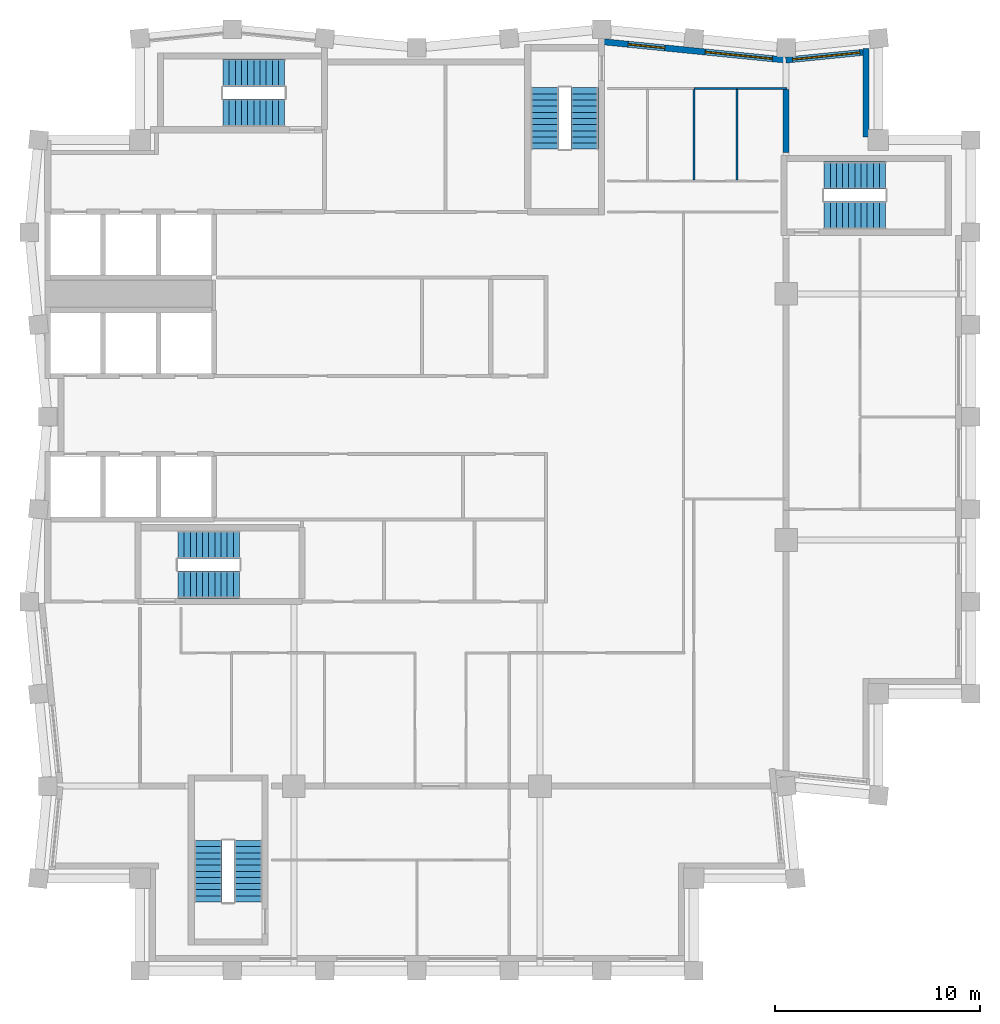
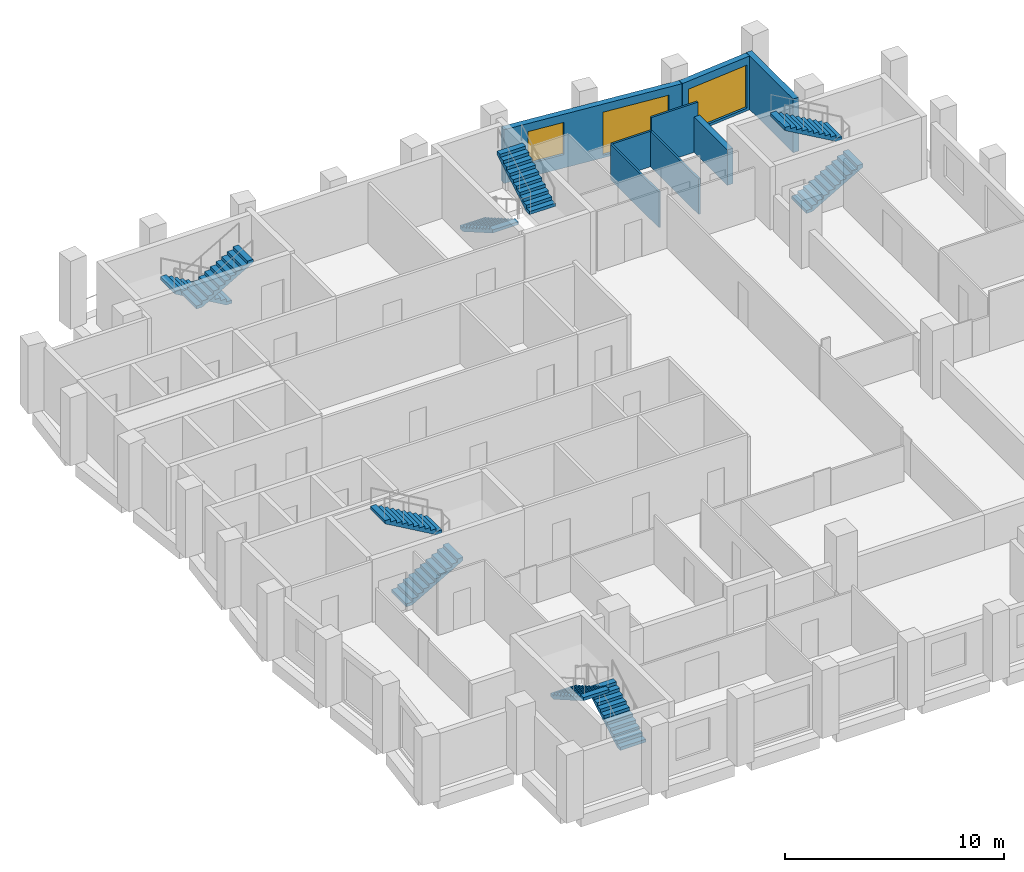
# One storey, part 6 of 7: 10 stair flights, 8 walls, 3 windows, 3 openings, 5 elements without a shape of their own.
"""IFC4 building model written with IfcOpenShell, lengths in metres."""

from ifc_helpers import new_model, si_unit, direction, frame, frame_2d, origin, place, context, subcontext, project, spatial, polyline, rectangle, outline, extrude, material, layer, layer_set, type_object, element, fill, aggregate, save


model = new_model("IFC4")

# Units and contexts
model_context = context("Model", 3, precision=1e-05, world=origin(), true_north=direction((0.0, 1.0)))
body_context = subcontext(model_context, "Body", "Model", "MODEL_VIEW")
ifc_project = project(units=[si_unit("LENGTHUNIT", "METRE"), si_unit("AREAUNIT", "SQUARE_METRE"), si_unit("VOLUMEUNIT", "CUBIC_METRE"), si_unit("PLANEANGLEUNIT", "RADIAN"), si_unit("MASSUNIT", "GRAM", prefix="KILO")], contexts=[model_context])

# Site, building, storey
site_placement = place(None, origin())
site = spatial("IfcSite", under=ifc_project, at=site_placement, CompositionType="ELEMENT")
building_placement = place(site_placement, origin())
building = spatial("IfcBuilding", under=site, at=building_placement, Name="Brondeck Convention Tower", CompositionType="ELEMENT")
storey_placement = place(building_placement, frame((0.0, 0.0, 275.199951171875)))
storey = spatial("IfcBuildingStorey", under=building, at=storey_placement, Name="L68", CompositionType="ELEMENT", Elevation=275.199951171875)

# Walls
ifc_material_1 = material(Name="Concrete compartment wall C30/37", Category="concrete")
ifc_layer_1 = layer(ifc_material_1, 0.300048828125)
ifc_layer_set_1 = layer_set([ifc_layer_1], Name="Compartment wall 300")
wall_type_1 = type_object("IfcWallType", Name="Compartment wall 300", PredefinedType="PARTITIONING", material=ifc_layer_set_1)
wall_1_placement = place(storey_placement, frame((36.0, 60.949951171875, 0.0), z_axis=(0.0, 0.0, 1.0), x_axis=(0.0, -1.0, 0.0)))
element("IfcWall", 1, at=wall_1_placement, inside=storey, type_object=wall_type_1, Name="FLR-L68-W058", PredefinedType="PARTITIONING", context=body_context, shape_type="SweptSolid", body=[
    extrude(rectangle(XDim=3.050048828125, YDim=0.300048828125, at=frame_2d((1.52490234375, 0.0))), origin(), (0.0, 0.0, 1.0), 1.97998046875),
])
ifc_material_2 = material(Name="Precast concrete C50/60 bronze finish", Category="concrete")
ifc_layer_2 = layer(ifc_material_2, 0.070068359375, Name="Bronze precast facing")
ifc_material_3 = material(Name="Mineral wool")
ifc_layer_3 = layer(ifc_material_3, 0.159912109375, Name="Insulation")
ifc_material_4 = material(Name="Concrete C35/45", Category="concrete")
ifc_layer_4 = layer(ifc_material_4, 0.070068359375, Name="Backing")
ifc_layer_set_2 = layer_set([ifc_layer_2, ifc_layer_3, ifc_layer_4], Name="External infill wall, precast concrete C50/60 bronze facing")
wall_type_2 = type_object("IfcWallType", Name="External infill wall, precast concrete C50/60 bronze facing", PredefinedType="SOLIDWALL", material=ifc_layer_set_2)
wall_2_placement = place(storey_placement, frame((39.89990234375, 62.952880859375, 0.0), z_axis=(0.0, 0.0, 1.0), x_axis=(0.0, -1.0, 0.0)))
element("IfcWall", 2, at=wall_2_placement, inside=storey, type_object=wall_type_2, Name="ENV-EW-L68-P3-NC-NEA45-02", PredefinedType="SOLIDWALL", context=body_context, shape_type="SweptSolid", body=[
    extrude(rectangle(XDim=4.302978515625, YDim=0.300048828125, at=frame_2d((2.1513671875, 0.0))), origin(), (0.0, 0.0, 1.0), 3.0),
])

# Wall, opening, window
wall_3_placement = place(storey_placement, frame((35.985107421875, 62.3955078125, 0.0), z_axis=(0.0, 0.0, 1.0), x_axis=(0.99503719021, 0.099503719021, 0.0)))
wall_3 = element("IfcWall", 3, at=wall_3_placement, inside=storey, type_object=wall_type_2, Name="ENV-EW-L68-P3-A-N-08", PredefinedType="SOLIDWALL", context=body_context, shape_type="SweptSolid", body=[
    extrude(rectangle(XDim=3.778564453125, YDim=0.300048828125, at=frame_2d((1.88916015625, 0.0))), origin(), (0.0, 0.0, 1.0), 3.0),
])
opening_1_placement = place(wall_3_placement, frame((0.32861328125, 0.0, 0.14990234375)))
opening_1 = element("IfcOpeningElement", 4, at=opening_1_placement, cuts=wall_3, Name="Opening W9", PredefinedType="OPENING", context=body_context, shape_type="SweptSolid", body=[
    extrude(rectangle(XDim=3.300048828125, YDim=2.39990234375, at=frame_2d((1.64990234375, 1.199951171875))), frame((0.0, 0.159912109375, 0.0), z_axis=(0.0, -1.0, 0.0), x_axis=(1.0, 0.0, 0.0)), (0.0, 0.0, 1.0), 0.320068359375),
])
ifc_material_5 = material(Name="Bronze tinted double glazing", Category="glass")
window_type_1 = type_object("IfcWindowType", Name="Glazed flute window, bronze tinted", PartitioningType="SINGLE_PANEL", PredefinedType="WINDOW", material=ifc_material_5)
window_1_placement = place(opening_1_placement, origin())
window_1 = element("IfcWindow", 5, at=window_1_placement, inside=storey, type_object=window_type_1, Name="ENV-WN-L68-P3-A-N-08", OverallHeight=2.39990234375, OverallWidth=3.300048828125, PartitioningType="SINGLE_PANEL", PredefinedType="WINDOW", context=body_context, shape_type="SweptSolid", body=[
    extrude(rectangle(XDim=3.300048828125, YDim=2.39990234375, at=frame_2d((1.64990234375, 1.199951171875))), frame((0.0, 0.030029296875, 0.0), z_axis=(0.0, -1.0, 0.0), x_axis=(1.0, 0.0, 0.0)), (0.0, 0.0, 1.0), 0.06005859375),
])
fill(opening_1, window_1)

# Wall, openings, windows
wall_4_placement = place(storey_placement, frame((27.089599609375, 63.2880859375, 0.0), z_axis=(0.0, 0.0, 1.0), x_axis=(0.995035835913, -0.09951726106, 0.0)))
wall_4 = element("IfcWall", 6, at=wall_4_placement, inside=storey, type_object=wall_type_2, Name="ENV-EW-L68-P3-A-N-07", PredefinedType="SOLIDWALL", context=body_context, shape_type="SweptSolid", body=[
    extrude(rectangle(XDim=8.9248046875, YDim=0.300048828125, at=frame_2d((4.46240234375, 0.0))), origin(), (0.0, 0.0, 1.0), 3.0),
])
opening_2_placement = place(wall_4_placement, frame((1.211181640625, 0.0, 0.75)))
opening_2 = element("IfcOpeningElement", 7, at=opening_2_placement, cuts=wall_4, Name="Opening W10", PredefinedType="OPENING", context=body_context, shape_type="SweptSolid", body=[
    extrude(rectangle(XDim=1.800048828125, YDim=1.800048828125, at=frame_2d((0.89990234375, 0.89990234375))), frame((0.0, 0.159912109375, 0.0), z_axis=(0.0, -1.0, 0.0), x_axis=(1.0, 0.0, 0.0)), (0.0, 0.0, 1.0), 0.320068359375),
])
opening_3_placement = place(wall_4_placement, frame((4.983642578125, 0.0, 0.14990234375)))
opening_3 = element("IfcOpeningElement", 8, at=opening_3_placement, cuts=wall_4, Name="Opening W9", PredefinedType="OPENING", context=body_context, shape_type="SweptSolid", body=[
    extrude(rectangle(XDim=3.300048828125, YDim=2.39990234375, at=frame_2d((1.64990234375, 1.199951171875))), frame((0.0, 0.159912109375, 0.0), z_axis=(0.0, -1.0, 0.0), x_axis=(1.0, 0.0, 0.0)), (0.0, 0.0, 1.0), 0.320068359375),
])
window_2_placement = place(opening_3_placement, origin())
window_2 = element("IfcWindow", 9, at=window_2_placement, inside=storey, type_object=window_type_1, Name="ENV-WN-L68-P3-A-N-07", OverallHeight=2.39990234375, OverallWidth=3.300048828125, PartitioningType="SINGLE_PANEL", PredefinedType="WINDOW", context=body_context, shape_type="SweptSolid", body=[
    extrude(rectangle(XDim=3.300048828125, YDim=2.39990234375, at=frame_2d((1.64990234375, 1.199951171875))), frame((0.0, 0.030029296875, 0.0), z_axis=(0.0, -1.0, 0.0), x_axis=(1.0, 0.0, 0.0)), (0.0, 0.0, 1.0), 0.06005859375),
])
fill(opening_3, window_2)
window_type_2 = type_object("IfcWindowType", Name="Punched window, bronze tinted", PartitioningType="SINGLE_PANEL", PredefinedType="WINDOW", material=ifc_material_5)
window_3_placement = place(opening_2_placement, origin())
window_3 = element("IfcWindow", 10, at=window_3_placement, inside=storey, type_object=window_type_2, Name="ENV-WN-L68-P3-A-N-06", OverallHeight=1.800048828125, OverallWidth=1.800048828125, PartitioningType="SINGLE_PANEL", PredefinedType="WINDOW", context=body_context, shape_type="SweptSolid", body=[
    extrude(rectangle(XDim=1.800048828125, YDim=1.800048828125, at=frame_2d((0.89990234375, 0.89990234375))), frame((0.0, 0.030029296875, 0.0), z_axis=(0.0, -1.0, 0.0), x_axis=(1.0, 0.0, 0.0)), (0.0, 0.0, 1.0), 0.06005859375),
])
fill(opening_2, window_3)

# Walls
ifc_material_6 = material(Name="Gypsum board partition on steel studs", Category="steel")
ifc_layer_5 = layer(ifc_material_6, 0.10009765625)
ifc_layer_set_3 = layer_set([ifc_layer_5], Name="Room partition 100")
wall_type_3 = type_object("IfcWallType", Name="Room partition 100", PredefinedType="PARTITIONING", material=ifc_layer_set_3)
for number, where, z_axis, x_axis, name in (
    (11, (31.5, 60.949951171875, 0.0), (0.0, 0.0, 1.0), (0.0, -1.0, 0.0), "FLR-L68-W056"),
    (12, (33.60009765625, 60.949951171875, 0.0), (0.0, 0.0, 1.0), (0.0, -1.0, 0.0), "FLR-L68-W057"),
):
    element("IfcWall", number, at=place(storey_placement, frame(where, z_axis=z_axis, x_axis=x_axis)), inside=storey, type_object=wall_type_3, Name=name, PredefinedType="PARTITIONING", context=body_context, shape_type="SweptSolid", body=[
        extrude(rectangle(XDim=4.39990234375, YDim=0.10009765625, at=frame_2d((2.199951171875, 0.0))), origin(), (0.0, 0.0, 1.0), 1.97998046875),
    ])
wall_5_placement = place(storey_placement, frame((31.5, 61.0, 0.0), z_axis=(0.0, 0.0, 1.0), x_axis=(1.0, 0.0, 0.0)))
element("IfcWall", 13, at=wall_5_placement, inside=storey, type_object=wall_type_3, Name="FLR-L68-W061", PredefinedType="PARTITIONING", context=body_context, shape_type="SweptSolid", body=[
    extrude(rectangle(XDim=2.10009765625, YDim=0.10009765625, at=frame_2d((1.050048828125, 0.0))), origin(), (0.0, 0.0, 1.0), 1.97998046875),
])
wall_6_placement = place(storey_placement, frame((33.60009765625, 61.0, 0.0), z_axis=(0.0, 0.0, 1.0), x_axis=(1.0, 0.0, 0.0)))
element("IfcWall", 14, at=wall_6_placement, inside=storey, type_object=wall_type_3, Name="FLR-L68-W062", PredefinedType="PARTITIONING", context=body_context, shape_type="SweptSolid", body=[
    extrude(rectangle(XDim=2.449951171875, YDim=0.10009765625, at=frame_2d((1.22509765625, 0.0))), origin(), (0.0, 0.0, 1.0), 2.72998046875),
])

# Stair, stair flights
ifc_material_7 = material(Name="Precast concrete C50/60", Category="concrete")
stair_type = type_object("IfcStairType", Name="Core stair 22 risers 172.73 mm riser 300 mm going 1350 wide", PredefinedType="HALF_TURN_STAIR", material=ifc_material_7)
stair_1_placement = place(storey_placement, origin())
stair_1 = element("IfcStair", 15, at=stair_1_placement, inside=storey, type_object=stair_type, Name="ST-1 L68 stair", PredefinedType="HALF_TURN_STAIR")
stair_flight_type = type_object("IfcStairFlightType", Name="Core stair flight 22 risers 172.73 mm riser 300 mm going 1350 wide", PredefinedType="STRAIGHT", material=ifc_material_7)
stair_flight_1_placement = place(storey_placement, frame((6.35009765625, 36.824951171875, 0.0), z_axis=(0.0, 0.0, 1.0), x_axis=(1.0, 0.0, 0.0)))
stair_flight_1 = element("IfcStairFlight", 16, at=stair_flight_1_placement, type_object=stair_flight_type, Name="ST-1 flight 1", NumberOfRisers=11, NumberOfTreads=10, PredefinedType="STRAIGHT", RiserHeight=0.172727273, TreadLength=0.3, context=body_context, shape_type="SweptSolid", body=[
    extrude(outline(polyline([(0.0, 0.0), (0.0, 0.172607421875), (0.300048828125, 0.172607421875), (0.300048828125, 0.345458984375), (0.60009765625, 0.345458984375), (0.60009765625, 0.51806640625), (0.89990234375, 0.51806640625), (0.89990234375, 0.69091796875), (1.199951171875, 0.69091796875), (1.199951171875, 0.863525390625), (1.5, 0.863525390625), (1.5, 1.036376953125), (1.800048828125, 1.036376953125), (1.800048828125, 1.208984375), (2.10009765625, 1.208984375), (2.10009765625, 1.3818359375), (2.39990234375, 1.3818359375), (2.39990234375, 1.554443359375), (2.699951171875, 1.554443359375), (2.699951171875, 1.727294921875), (3.0, 1.727294921875), (3.0, 1.89990234375), (3.0, 1.55419921875), (0.300537109375, 0.0), (0.0, 0.0)])), frame((0.0, 0.675048828125, 0.0), z_axis=(0.0, -1.0, 0.0), x_axis=(1.0, 0.0, 0.0)), (0.0, 0.0, 1.0), 1.35009765625),
])
stair_flight_2_placement = place(storey_placement, frame((9.35009765625, 38.77490234375, 1.900146484375), z_axis=(0.0, 0.0, 1.0), x_axis=(-1.0, 0.0, 0.0)))
stair_flight_2 = element("IfcStairFlight", 17, at=stair_flight_2_placement, type_object=stair_flight_type, Name="ST-1 flight 2", NumberOfRisers=11, NumberOfTreads=10, PredefinedType="STRAIGHT", RiserHeight=0.172727273, TreadLength=0.3, context=body_context, shape_type="SweptSolid", body=[
    extrude(outline(polyline([(0.0, 0.0), (0.0, 0.172607421875), (0.300048828125, 0.172607421875), (0.300048828125, 0.345458984375), (0.60009765625, 0.345458984375), (0.60009765625, 0.51806640625), (0.89990234375, 0.51806640625), (0.89990234375, 0.69091796875), (1.199951171875, 0.69091796875), (1.199951171875, 0.863525390625), (1.5, 0.863525390625), (1.5, 1.036376953125), (1.800048828125, 1.036376953125), (1.800048828125, 1.208984375), (2.10009765625, 1.208984375), (2.10009765625, 1.3818359375), (2.39990234375, 1.3818359375), (2.39990234375, 1.554443359375), (2.699951171875, 1.554443359375), (2.699951171875, 1.727294921875), (3.0, 1.727294921875), (3.0, 1.89990234375), (3.0, 1.55419921875), (0.300537109375, 0.0), (0.0, 0.0)])), frame((0.0, 0.675048828125, 0.0), z_axis=(0.0, -1.0, 0.0), x_axis=(1.0, 0.0, 0.0)), (0.0, 0.0, 1.0), 1.35009765625),
])
aggregate(stair_1, [stair_flight_1, stair_flight_2])

stair_2_placement = place(storey_placement, origin())
stair_2 = element("IfcStair", 18, at=stair_2_placement, inside=storey, type_object=stair_type, Name="ST-2 L68 stair", PredefinedType="HALF_TURN_STAIR")
stair_flight_3_placement = place(storey_placement, frame((24.22509765625, 61.050048828125, 0.0), z_axis=(0.0, 0.0, 1.0), x_axis=(0.0, -1.0, 0.0)))
stair_flight_3 = element("IfcStairFlight", 19, at=stair_flight_3_placement, type_object=stair_flight_type, Name="ST-2 flight 1", NumberOfRisers=11, NumberOfTreads=10, PredefinedType="STRAIGHT", RiserHeight=0.172727273, TreadLength=0.3, context=body_context, shape_type="SweptSolid", body=[
    extrude(outline(polyline([(0.0, 0.0), (0.0, 0.172607421875), (0.300048828125, 0.172607421875), (0.300048828125, 0.345458984375), (0.60009765625, 0.345458984375), (0.60009765625, 0.51806640625), (0.89990234375, 0.51806640625), (0.89990234375, 0.69091796875), (1.199951171875, 0.69091796875), (1.199951171875, 0.863525390625), (1.5, 0.863525390625), (1.5, 1.036376953125), (1.800048828125, 1.036376953125), (1.800048828125, 1.208984375), (2.10009765625, 1.208984375), (2.10009765625, 1.3818359375), (2.39990234375, 1.3818359375), (2.39990234375, 1.554443359375), (2.699951171875, 1.554443359375), (2.699951171875, 1.727294921875), (3.0, 1.727294921875), (3.0, 1.89990234375), (3.0, 1.55419921875), (0.300537109375, 0.0), (0.0, 0.0)])), frame((0.0, 0.675048828125, 0.0), z_axis=(0.0, -1.0, 0.0), x_axis=(1.0, 0.0, 0.0)), (0.0, 0.0, 1.0), 1.35009765625),
])
stair_flight_4_placement = place(storey_placement, frame((26.175048828125, 58.050048828125, 1.900146484375), z_axis=(0.0, 0.0, 1.0), x_axis=(0.0, 1.0, 0.0)))
stair_flight_4 = element("IfcStairFlight", 20, at=stair_flight_4_placement, type_object=stair_flight_type, Name="ST-2 flight 2", NumberOfRisers=11, NumberOfTreads=10, PredefinedType="STRAIGHT", RiserHeight=0.172727273, TreadLength=0.3, context=body_context, shape_type="SweptSolid", body=[
    extrude(outline(polyline([(0.0, 0.0), (0.0, 0.172607421875), (0.300048828125, 0.172607421875), (0.300048828125, 0.345458984375), (0.60009765625, 0.345458984375), (0.60009765625, 0.51806640625), (0.89990234375, 0.51806640625), (0.89990234375, 0.69091796875), (1.199951171875, 0.69091796875), (1.199951171875, 0.863525390625), (1.5, 0.863525390625), (1.5, 1.036376953125), (1.800048828125, 1.036376953125), (1.800048828125, 1.208984375), (2.10009765625, 1.208984375), (2.10009765625, 1.3818359375), (2.39990234375, 1.3818359375), (2.39990234375, 1.554443359375), (2.699951171875, 1.554443359375), (2.699951171875, 1.727294921875), (3.0, 1.727294921875), (3.0, 1.89990234375), (3.0, 1.55419921875), (0.300537109375, 0.0), (0.0, 0.0)])), frame((0.0, 0.675048828125, 0.0), z_axis=(0.0, -1.0, 0.0), x_axis=(1.0, 0.0, 0.0)), (0.0, 0.0, 1.0), 1.35009765625),
])
aggregate(stair_2, [stair_flight_3, stair_flight_4])

stair_3_placement = place(storey_placement, origin())
stair_3 = element("IfcStair", 21, at=stair_3_placement, inside=storey, type_object=stair_type, Name="ST-3 L68 stair", PredefinedType="HALF_TURN_STAIR")
stair_flight_5_placement = place(storey_placement, frame((11.550048828125, 61.77490234375, 0.0), z_axis=(0.0, 0.0, 1.0), x_axis=(-1.0, 0.0, 0.0)))
stair_flight_5 = element("IfcStairFlight", 22, at=stair_flight_5_placement, type_object=stair_flight_type, Name="ST-3 flight 1", NumberOfRisers=11, NumberOfTreads=10, PredefinedType="STRAIGHT", RiserHeight=0.172727273, TreadLength=0.3, context=body_context, shape_type="SweptSolid", body=[
    extrude(outline(polyline([(0.0, 0.0), (0.0, 0.172607421875), (0.300048828125, 0.172607421875), (0.300048828125, 0.345458984375), (0.60009765625, 0.345458984375), (0.60009765625, 0.51806640625), (0.89990234375, 0.51806640625), (0.89990234375, 0.69091796875), (1.199951171875, 0.69091796875), (1.199951171875, 0.863525390625), (1.5, 0.863525390625), (1.5, 1.036376953125), (1.800048828125, 1.036376953125), (1.800048828125, 1.208984375), (2.10009765625, 1.208984375), (2.10009765625, 1.3818359375), (2.39990234375, 1.3818359375), (2.39990234375, 1.554443359375), (2.699951171875, 1.554443359375), (2.699951171875, 1.727294921875), (3.0, 1.727294921875), (3.0, 1.89990234375), (3.0, 1.55419921875), (0.300537109375, 0.0), (0.0, 0.0)])), frame((0.0, 0.675048828125, 0.0), z_axis=(0.0, -1.0, 0.0), x_axis=(1.0, 0.0, 0.0)), (0.0, 0.0, 1.0), 1.35009765625),
])
stair_flight_6_placement = place(storey_placement, frame((8.550048828125, 59.824951171875, 1.900146484375), z_axis=(0.0, 0.0, 1.0), x_axis=(1.0, 0.0, 0.0)))
stair_flight_6 = element("IfcStairFlight", 23, at=stair_flight_6_placement, type_object=stair_flight_type, Name="ST-3 flight 2", NumberOfRisers=11, NumberOfTreads=10, PredefinedType="STRAIGHT", RiserHeight=0.172727273, TreadLength=0.3, context=body_context, shape_type="SweptSolid", body=[
    extrude(outline(polyline([(0.0, 0.0), (0.0, 0.172607421875), (0.300048828125, 0.172607421875), (0.300048828125, 0.345458984375), (0.60009765625, 0.345458984375), (0.60009765625, 0.51806640625), (0.89990234375, 0.51806640625), (0.89990234375, 0.69091796875), (1.199951171875, 0.69091796875), (1.199951171875, 0.863525390625), (1.5, 0.863525390625), (1.5, 1.036376953125), (1.800048828125, 1.036376953125), (1.800048828125, 1.208984375), (2.10009765625, 1.208984375), (2.10009765625, 1.3818359375), (2.39990234375, 1.3818359375), (2.39990234375, 1.554443359375), (2.699951171875, 1.554443359375), (2.699951171875, 1.727294921875), (3.0, 1.727294921875), (3.0, 1.89990234375), (3.0, 1.55419921875), (0.300537109375, 0.0), (0.0, 0.0)])), frame((0.0, 0.675048828125, 0.0), z_axis=(0.0, -1.0, 0.0), x_axis=(1.0, 0.0, 0.0)), (0.0, 0.0, 1.0), 1.35009765625),
])
aggregate(stair_3, [stair_flight_5, stair_flight_6])

stair_4_placement = place(storey_placement, origin())
stair_4 = element("IfcStair", 24, at=stair_4_placement, inside=storey, type_object=stair_type, Name="ST-AE L68 stair", PredefinedType="HALF_TURN_STAIR")
stair_flight_7_placement = place(storey_placement, frame((37.85009765625, 54.824951171875, 0.0), z_axis=(0.0, 0.0, 1.0), x_axis=(1.0, 0.0, 0.0)))
stair_flight_7 = element("IfcStairFlight", 25, at=stair_flight_7_placement, type_object=stair_flight_type, Name="ST-AE flight 1", NumberOfRisers=11, NumberOfTreads=10, PredefinedType="STRAIGHT", RiserHeight=0.172727273, TreadLength=0.3, context=body_context, shape_type="SweptSolid", body=[
    extrude(outline(polyline([(0.0, 0.0), (0.0, 0.172607421875), (0.300048828125, 0.172607421875), (0.300048828125, 0.345458984375), (0.60009765625, 0.345458984375), (0.60009765625, 0.51806640625), (0.89990234375, 0.51806640625), (0.89990234375, 0.69091796875), (1.199951171875, 0.69091796875), (1.199951171875, 0.863525390625), (1.5, 0.863525390625), (1.5, 1.036376953125), (1.800048828125, 1.036376953125), (1.800048828125, 1.208984375), (2.10009765625, 1.208984375), (2.10009765625, 1.3818359375), (2.39990234375, 1.3818359375), (2.39990234375, 1.554443359375), (2.699951171875, 1.554443359375), (2.699951171875, 1.727294921875), (3.0, 1.727294921875), (3.0, 1.89990234375), (3.0, 1.55419921875), (0.300537109375, 0.0), (0.0, 0.0)])), frame((0.0, 0.675048828125, 0.0), z_axis=(0.0, -1.0, 0.0), x_axis=(1.0, 0.0, 0.0)), (0.0, 0.0, 1.0), 1.35009765625),
])
stair_flight_8_placement = place(storey_placement, frame((40.85009765625, 56.77490234375, 1.900146484375), z_axis=(0.0, 0.0, 1.0), x_axis=(-1.0, 0.0, 0.0)))
stair_flight_8 = element("IfcStairFlight", 26, at=stair_flight_8_placement, type_object=stair_flight_type, Name="ST-AE flight 2", NumberOfRisers=11, NumberOfTreads=10, PredefinedType="STRAIGHT", RiserHeight=0.172727273, TreadLength=0.3, context=body_context, shape_type="SweptSolid", body=[
    extrude(outline(polyline([(0.0, 0.0), (0.0, 0.172607421875), (0.300048828125, 0.172607421875), (0.300048828125, 0.345458984375), (0.60009765625, 0.345458984375), (0.60009765625, 0.51806640625), (0.89990234375, 0.51806640625), (0.89990234375, 0.69091796875), (1.199951171875, 0.69091796875), (1.199951171875, 0.863525390625), (1.5, 0.863525390625), (1.5, 1.036376953125), (1.800048828125, 1.036376953125), (1.800048828125, 1.208984375), (2.10009765625, 1.208984375), (2.10009765625, 1.3818359375), (2.39990234375, 1.3818359375), (2.39990234375, 1.554443359375), (2.699951171875, 1.554443359375), (2.699951171875, 1.727294921875), (3.0, 1.727294921875), (3.0, 1.89990234375), (3.0, 1.55419921875), (0.300537109375, 0.0), (0.0, 0.0)])), frame((0.0, 0.675048828125, 0.0), z_axis=(0.0, -1.0, 0.0), x_axis=(1.0, 0.0, 0.0)), (0.0, 0.0, 1.0), 1.35009765625),
])
aggregate(stair_4, [stair_flight_7, stair_flight_8])

stair_5_placement = place(storey_placement, origin())
stair_5 = element("IfcStair", 27, at=stair_5_placement, inside=storey, type_object=stair_type, Name="ST-BE L68 stair", PredefinedType="HALF_TURN_STAIR")
stair_flight_9_placement = place(storey_placement, frame((9.77490234375, 21.35009765625, 0.0), z_axis=(0.0, 0.0, 1.0), x_axis=(0.0, 1.0, 0.0)))
stair_flight_9 = element("IfcStairFlight", 28, at=stair_flight_9_placement, type_object=stair_flight_type, Name="ST-BE flight 1", NumberOfRisers=11, NumberOfTreads=10, PredefinedType="STRAIGHT", RiserHeight=0.172727273, TreadLength=0.3, context=body_context, shape_type="SweptSolid", body=[
    extrude(outline(polyline([(0.0, 0.0), (0.0, 0.172607421875), (0.300048828125, 0.172607421875), (0.300048828125, 0.345458984375), (0.60009765625, 0.345458984375), (0.60009765625, 0.51806640625), (0.89990234375, 0.51806640625), (0.89990234375, 0.69091796875), (1.199951171875, 0.69091796875), (1.199951171875, 0.863525390625), (1.5, 0.863525390625), (1.5, 1.036376953125), (1.800048828125, 1.036376953125), (1.800048828125, 1.208984375), (2.10009765625, 1.208984375), (2.10009765625, 1.3818359375), (2.39990234375, 1.3818359375), (2.39990234375, 1.554443359375), (2.699951171875, 1.554443359375), (2.699951171875, 1.727294921875), (3.0, 1.727294921875), (3.0, 1.89990234375), (3.0, 1.55419921875), (0.300537109375, 0.0), (0.0, 0.0)])), frame((0.0, 0.675048828125, 0.0), z_axis=(0.0, -1.0, 0.0), x_axis=(1.0, 0.0, 0.0)), (0.0, 0.0, 1.0), 1.35009765625),
])
stair_flight_10_placement = place(storey_placement, frame((7.824951171875, 24.35009765625, 1.900146484375), z_axis=(0.0, 0.0, 1.0), x_axis=(0.0, -1.0, 0.0)))
stair_flight_10 = element("IfcStairFlight", 29, at=stair_flight_10_placement, type_object=stair_flight_type, Name="ST-BE flight 2", NumberOfRisers=11, NumberOfTreads=10, PredefinedType="STRAIGHT", RiserHeight=0.172727273, TreadLength=0.3, context=body_context, shape_type="SweptSolid", body=[
    extrude(outline(polyline([(0.0, 0.0), (0.0, 0.172607421875), (0.300048828125, 0.172607421875), (0.300048828125, 0.345458984375), (0.60009765625, 0.345458984375), (0.60009765625, 0.51806640625), (0.89990234375, 0.51806640625), (0.89990234375, 0.69091796875), (1.199951171875, 0.69091796875), (1.199951171875, 0.863525390625), (1.5, 0.863525390625), (1.5, 1.036376953125), (1.800048828125, 1.036376953125), (1.800048828125, 1.208984375), (2.10009765625, 1.208984375), (2.10009765625, 1.3818359375), (2.39990234375, 1.3818359375), (2.39990234375, 1.554443359375), (2.699951171875, 1.554443359375), (2.699951171875, 1.727294921875), (3.0, 1.727294921875), (3.0, 1.89990234375), (3.0, 1.55419921875), (0.300537109375, 0.0), (0.0, 0.0)])), frame((0.0, 0.675048828125, 0.0), z_axis=(0.0, -1.0, 0.0), x_axis=(1.0, 0.0, 0.0)), (0.0, 0.0, 1.0), 1.35009765625),
])
aggregate(stair_5, [stair_flight_9, stair_flight_10])

save(model, "model.ifc")
